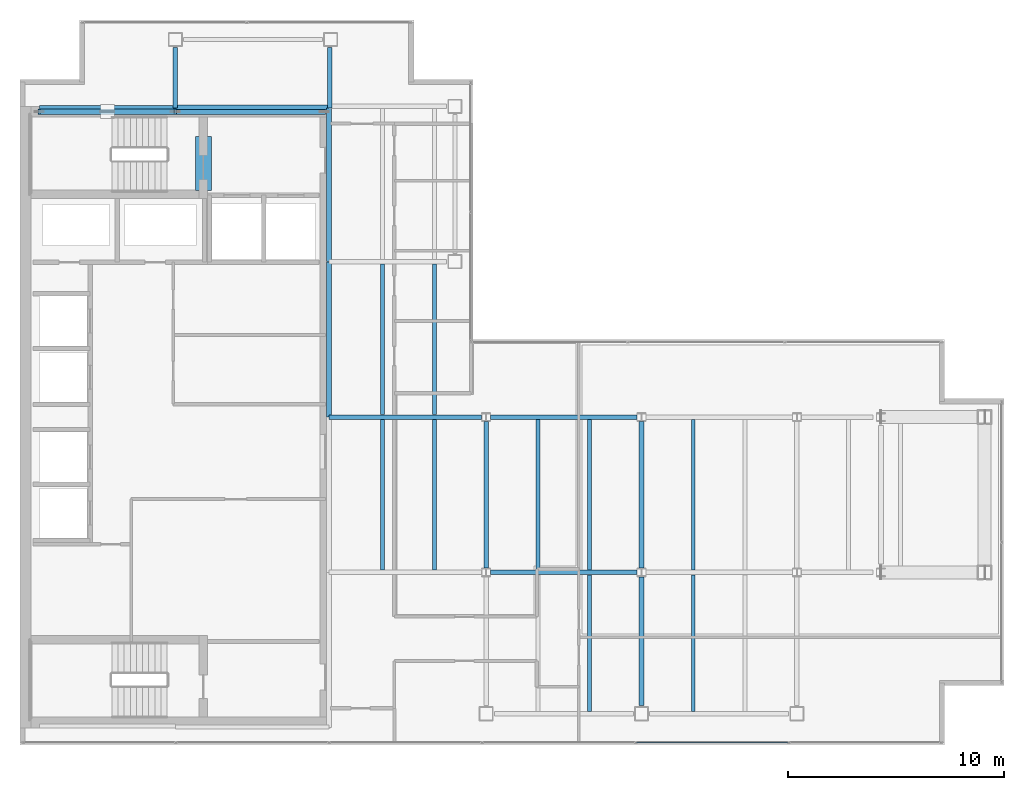
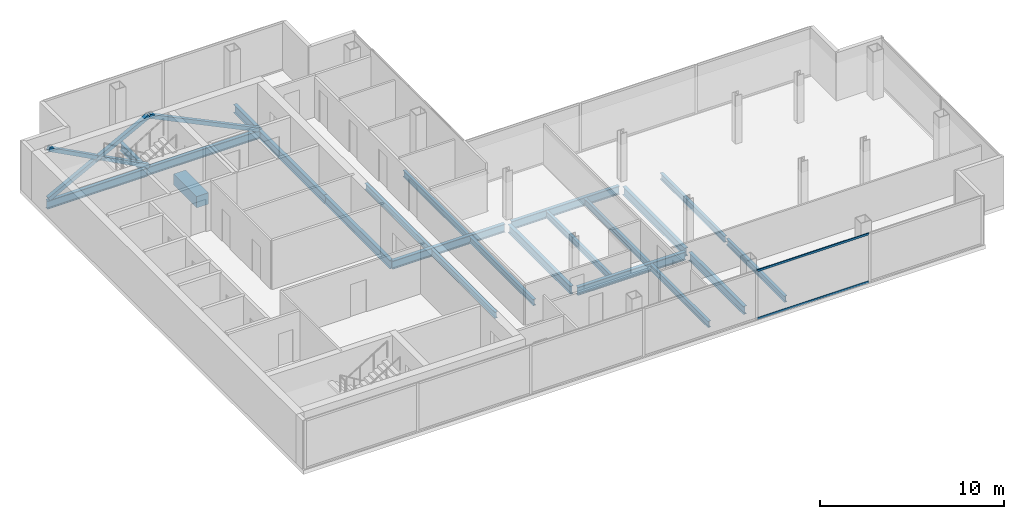
# One storey, part 7 of 24: 22 beams, 6 members, 1 element without a shape of its own.
"""IFC4 building model written with IfcOpenShell, lengths in metres."""

from ifc_helpers import new_model, si_unit, direction, frame, origin, origin_2d, place, context, subcontext, project, spatial, rectangle, hollow_rectangle, i_section, extrude, material, material_profile, profile_set, type_object, element, aggregate, save


model = new_model("IFC4")

# Units and contexts
model_context = context("Model", 3, precision=1e-05, world=origin(), true_north=direction((0.0, 1.0)))
body_context = subcontext(model_context, "Body", "Model", "MODEL_VIEW")
ifc_project = project(units=[si_unit("LENGTHUNIT", "METRE"), si_unit("AREAUNIT", "SQUARE_METRE"), si_unit("VOLUMEUNIT", "CUBIC_METRE"), si_unit("PLANEANGLEUNIT", "RADIAN"), si_unit("MASSUNIT", "GRAM", prefix="KILO")], contexts=[model_context])

# Site, building, storey
site_placement = place(None, origin())
site = spatial("IfcSite", under=ifc_project, at=site_placement, CompositionType="ELEMENT")
building_placement = place(site_placement, origin())
building = spatial("IfcBuilding", under=site, at=building_placement, Name="Cobrela Telecom Tower", CompositionType="ELEMENT")
storey_placement = place(building_placement, frame((0.0, 0.0, 241.14990234375)))
storey = spatial("IfcBuildingStorey", under=building, at=storey_placement, Name="L62", CompositionType="ELEMENT", Elevation=241.14990234375)

# Beams
ifc_material_1 = material(Name="Concrete C40/50", Category="concrete")
ifc_material_profile_1 = material_profile(ifc_material_1, rectangle(XDim=0.75, YDim=0.75, at=origin_2d()), Name="RC 750x750")
ifc_profile_set_1 = profile_set([ifc_material_profile_1], Name="Concrete C40/50")
beam_type_1 = type_object("IfcBeamType", Name="BM-COUP-RC", PredefinedType="LINTEL", material=ifc_profile_set_1)
beam_1_placement = place(storey_placement, frame((8.5, 32.10009765625, -0.60986328125), z_axis=(0.0, 1.0, 0.0), x_axis=(-1.0, 0.0, 0.0)))
element("IfcBeam", 1, at=beam_1_placement, inside=storey, type_object=beam_type_1, Name="L62 Core Coupling Lintel Beam", PredefinedType="LINTEL", context=body_context, shape_type="SweptSolid", body=[
    extrude(rectangle(XDim=0.75, YDim=0.75, at=origin_2d()), origin(), (0.0, 0.0, 1.0), 2.5),
])
ifc_material_2 = material(Name="Steel ASTM A992 Grade 50", Category="steel")
ifc_material_profile_2 = material_profile(ifc_material_2, i_section(OverallWidth=0.212890625, OverallDepth=0.549072265625, WebThickness=0.0146484375, FlangeThickness=0.023681640625, FilletRadius=0.013916015625, at=origin_2d()), Name="W21X93")
ifc_profile_set_2 = profile_set([ifc_material_profile_2], Name="Steel ASTM A992 Grade 50")
beam_type_2 = type_object("IfcBeamType", Name="BM-GIRD-08", PredefinedType="USERDEFINED", material=ifc_profile_set_2)
beam_2_placement = place(storey_placement, frame((21.804443359375, 14.39990234375, -0.534423828125), z_axis=(1.0, 0.0, 0.0), x_axis=(0.0, 1.0, 0.0)))
element("IfcBeam", 2, at=beam_2_placement, inside=storey, type_object=beam_type_2, Name="L62 Primary Girder X06", ObjectType="GIRDER", PredefinedType="USERDEFINED", context=body_context, shape_type="SweptSolid", body=[
    extrude(i_section(OverallWidth=0.212890625, OverallDepth=0.549072265625, WebThickness=0.0146484375, FlangeThickness=0.023681640625, FilletRadius=0.013916015625, at=origin_2d()), origin(), (0.0, 0.0, 1.0), 6.791015625),
])
beam_3_placement = place(storey_placement, frame((14.324951171875, 21.60009765625, -0.534423828125), z_axis=(1.0, 0.0, 0.0), x_axis=(0.0, 1.0, 0.0)))
element("IfcBeam", 3, at=beam_3_placement, inside=storey, type_object=beam_type_2, Name="L62 Primary Girder X09", ObjectType="GIRDER", PredefinedType="USERDEFINED", context=body_context, shape_type="SweptSolid", body=[
    extrude(i_section(OverallWidth=0.212890625, OverallDepth=0.549072265625, WebThickness=0.0146484375, FlangeThickness=0.023681640625, FilletRadius=0.013916015625, at=origin_2d()), origin(), (0.0, 0.0, 1.0), 7.070556640625),
])
beam_4_placement = place(storey_placement, frame((21.804443359375, 21.60009765625, -0.534423828125), z_axis=(1.0, 0.0, 0.0), x_axis=(0.0, 1.0, 0.0)))
element("IfcBeam", 4, at=beam_4_placement, inside=storey, type_object=beam_type_2, Name="L62 Primary Girder X10", ObjectType="GIRDER", PredefinedType="USERDEFINED", context=body_context, shape_type="SweptSolid", body=[
    extrude(i_section(OverallWidth=0.212890625, OverallDepth=0.549072265625, WebThickness=0.0146484375, FlangeThickness=0.023681640625, FilletRadius=0.013916015625, at=origin_2d()), origin(), (0.0, 0.0, 1.0), 6.791015625),
])
beam_5_placement = place(storey_placement, frame((0.905029296875, 35.919921875, -0.534423828125), z_axis=(1.0, 0.0, 0.0), x_axis=(0.0, 1.0, 0.0)))
element("IfcBeam", 5, at=beam_5_placement, inside=storey, type_object=beam_type_2, Name="L62 Primary Girder X14", ObjectType="GIRDER", PredefinedType="USERDEFINED", context=body_context, shape_type="SweptSolid", body=[
    extrude(i_section(OverallWidth=0.212890625, OverallDepth=0.549072265625, WebThickness=0.0146484375, FlangeThickness=0.023681640625, FilletRadius=0.013916015625, at=origin_2d()), origin(), (0.0, 0.0, 1.0), 6.2900390625),
])
beam_6_placement = place(storey_placement, frame((7.205078125, 35.9599609375, -0.534423828125), z_axis=(1.0, 0.0, 0.0), x_axis=(0.0, 1.0, 0.0)))
element("IfcBeam", 6, at=beam_6_placement, inside=storey, type_object=beam_type_2, Name="L62 Primary Girder X15", ObjectType="GIRDER", PredefinedType="USERDEFINED", context=body_context, shape_type="SweptSolid", body=[
    extrude(i_section(OverallWidth=0.212890625, OverallDepth=0.549072265625, WebThickness=0.0146484375, FlangeThickness=0.023681640625, FilletRadius=0.013916015625, at=origin_2d()), origin(), (0.0, 0.0, 1.0), 7.10986328125),
])
beam_7_placement = place(storey_placement, frame((7.199951171875, 35.925048828125, -0.534423828125), z_axis=(0.0, 1.0, 0.0), x_axis=(-1.0, 0.0, 0.0)))
element("IfcBeam", 7, at=beam_7_placement, inside=storey, type_object=beam_type_2, Name="L62 Primary Girder Y18", ObjectType="GIRDER", PredefinedType="USERDEFINED", context=body_context, shape_type="SweptSolid", body=[
    extrude(i_section(OverallWidth=0.212890625, OverallDepth=0.549072265625, WebThickness=0.0146484375, FlangeThickness=0.023681640625, FilletRadius=0.013916015625, at=origin_2d()), origin(), (0.0, 0.0, 1.0), 2.794921875),
])
beam_8_placement = place(storey_placement, frame((14.320068359375, 21.60498046875, -0.534423828125), z_axis=(0.0, 1.0, 0.0), x_axis=(-1.0, 0.0, 0.0)))
element("IfcBeam", 8, at=beam_8_placement, inside=storey, type_object=beam_type_2, Name="L62 Primary Girder Y21", ObjectType="GIRDER", PredefinedType="USERDEFINED", context=body_context, shape_type="SweptSolid", body=[
    extrude(i_section(OverallWidth=0.212890625, OverallDepth=0.549072265625, WebThickness=0.0146484375, FlangeThickness=0.023681640625, FilletRadius=0.013916015625, at=origin_2d()), origin(), (0.0, 0.0, 1.0), 7.18994140625),
])
beam_9_placement = place(storey_placement, frame((14.320068359375, 28.804931640625, -0.534423828125), z_axis=(0.0, 1.0, 0.0), x_axis=(-1.0, 0.0, 0.0)))
element("IfcBeam", 9, at=beam_9_placement, inside=storey, type_object=beam_type_2, Name="L62 Primary Girder Y22", ObjectType="GIRDER", PredefinedType="USERDEFINED", context=body_context, shape_type="SweptSolid", body=[
    extrude(i_section(OverallWidth=0.212890625, OverallDepth=0.549072265625, WebThickness=0.0146484375, FlangeThickness=0.023681640625, FilletRadius=0.013916015625, at=origin_2d()), origin(), (0.0, 0.0, 1.0), 7.110107421875),
])
beam_10_placement = place(storey_placement, frame((14.360107421875, 35.925048828125, -0.534423828125), z_axis=(0.0, 1.0, 0.0), x_axis=(-1.0, 0.0, 0.0)))
element("IfcBeam", 10, at=beam_10_placement, inside=storey, type_object=beam_type_2, Name="L62 Primary Girder Y23", ObjectType="GIRDER", PredefinedType="USERDEFINED", context=body_context, shape_type="SweptSolid", body=[
    extrude(i_section(OverallWidth=0.212890625, OverallDepth=0.549072265625, WebThickness=0.0146484375, FlangeThickness=0.023681640625, FilletRadius=0.013916015625, at=origin_2d()), origin(), (0.0, 0.0, 1.0), 2.794921875),
])
beam_11_placement = place(storey_placement, frame((21.60009765625, 14.6044921875, -0.534423828125), z_axis=(0.0, 1.0, 0.0), x_axis=(-1.0, 0.0, 0.0)))
element("IfcBeam", 11, at=beam_11_placement, inside=storey, type_object=beam_type_2, Name="L62 Primary Girder Y26", ObjectType="GIRDER", PredefinedType="USERDEFINED", context=body_context, shape_type="SweptSolid", body=[
    extrude(i_section(OverallWidth=0.212890625, OverallDepth=0.549072265625, WebThickness=0.0146484375, FlangeThickness=0.023681640625, FilletRadius=0.013916015625, at=origin_2d()), origin(), (0.0, 0.0, 1.0), 6.791015625),
])
beam_12_placement = place(storey_placement, frame((28.800048828125, 8.22998046875, -0.534423828125), z_axis=(0.0, 1.0, 0.0), x_axis=(-1.0, 0.0, 0.0)))
element("IfcBeam", 12, at=beam_12_placement, inside=storey, type_object=beam_type_2, Name="L62 Primary Girder Y27", ObjectType="GIRDER", PredefinedType="USERDEFINED", context=body_context, shape_type="SweptSolid", body=[
    extrude(i_section(OverallWidth=0.212890625, OverallDepth=0.549072265625, WebThickness=0.0146484375, FlangeThickness=0.023681640625, FilletRadius=0.013916015625, at=origin_2d()), origin(), (0.0, 0.0, 1.0), 5.965576171875),
])
beam_13_placement = place(storey_placement, frame((28.800048828125, 14.6044921875, -0.534423828125), z_axis=(0.0, 1.0, 0.0), x_axis=(-1.0, 0.0, 0.0)))
element("IfcBeam", 13, at=beam_13_placement, inside=storey, type_object=beam_type_2, Name="L62 Primary Girder Y28", ObjectType="GIRDER", PredefinedType="USERDEFINED", context=body_context, shape_type="SweptSolid", body=[
    extrude(i_section(OverallWidth=0.212890625, OverallDepth=0.549072265625, WebThickness=0.0146484375, FlangeThickness=0.023681640625, FilletRadius=0.013916015625, at=origin_2d()), origin(), (0.0, 0.0, 1.0), 6.791015625),
])
ifc_material_profile_3 = material_profile(ifc_material_2, i_section(OverallWidth=0.179931640625, OverallDepth=0.4169921875, WebThickness=0.010986328125, FlangeThickness=0.01806640625, FilletRadius=0.011962890625, at=origin_2d()), Name="W16X57")
ifc_profile_set_3 = profile_set([ifc_material_profile_3], Name="Steel ASTM A992 Grade 50")
beam_type_3 = type_object("IfcBeamType", Name="BM-JOIST-04", PredefinedType="JOIST", material=ifc_profile_set_3)
for number, where, z_axis, x_axis, name in (
    (14, (16.800048828125, 14.511474609375, -0.468505859375), (0.0, 1.0, 0.0), (-1.0, 0.0, 0.0), "L62 Secondary Composite Floor Beam J01"),
    (15, (16.800048828125, 21.71142578125, -0.468505859375), (0.0, 1.0, 0.0), (-1.0, 0.0, 0.0), "L62 Secondary Composite Floor Beam J02"),
    (16, (19.199951171875, 14.511474609375, -0.468505859375), (0.0, 1.0, 0.0), (-1.0, 0.0, 0.0), "L62 Secondary Composite Floor Beam J04"),
    (17, (19.199951171875, 21.71142578125, -0.468505859375), (0.0, 1.0, 0.0), (-1.0, 0.0, 0.0), "L62 Secondary Composite Floor Beam J05"),
    (18, (24.0, 14.511474609375, -0.468505859375), (0.0, 1.0, 0.0), (-1.0, 0.0, 0.0), "L62 Secondary Composite Floor Beam J08"),
):
    element("IfcBeam", number, at=place(storey_placement, frame(where, z_axis=z_axis, x_axis=x_axis)), inside=storey, type_object=beam_type_3, Name=name, PredefinedType="JOIST", context=body_context, shape_type="SweptSolid", body=[
        extrude(i_section(OverallWidth=0.179931640625, OverallDepth=0.4169921875, WebThickness=0.010986328125, FlangeThickness=0.01806640625, FilletRadius=0.011962890625, at=origin_2d()), origin(), (0.0, 0.0, 1.0), 6.97705078125),
    ])
beam_14_placement = place(storey_placement, frame((26.39990234375, 7.96142578125, -0.468505859375), z_axis=(0.0, 1.0, 0.0), x_axis=(-1.0, 0.0, 0.0)))
element("IfcBeam", 19, at=beam_14_placement, inside=storey, type_object=beam_type_3, Name="L62 Secondary Composite Floor Beam J09", PredefinedType="JOIST", context=body_context, shape_type="SweptSolid", body=[
    extrude(i_section(OverallWidth=0.179931640625, OverallDepth=0.4169921875, WebThickness=0.010986328125, FlangeThickness=0.01806640625, FilletRadius=0.011962890625, at=origin_2d()), origin(), (0.0, 0.0, 1.0), 6.3271484375),
])
beam_15_placement = place(storey_placement, frame((26.39990234375, 14.511474609375, -0.468505859375), z_axis=(0.0, 1.0, 0.0), x_axis=(-1.0, 0.0, 0.0)))
element("IfcBeam", 20, at=beam_15_placement, inside=storey, type_object=beam_type_3, Name="L62 Secondary Composite Floor Beam J10", PredefinedType="JOIST", context=body_context, shape_type="SweptSolid", body=[
    extrude(i_section(OverallWidth=0.179931640625, OverallDepth=0.4169921875, WebThickness=0.010986328125, FlangeThickness=0.01806640625, FilletRadius=0.011962890625, at=origin_2d()), origin(), (0.0, 0.0, 1.0), 6.97705078125),
])
beam_16_placement = place(storey_placement, frame((31.199951171875, 7.96142578125, -0.468505859375), z_axis=(0.0, 1.0, 0.0), x_axis=(-1.0, 0.0, 0.0)))
element("IfcBeam", 21, at=beam_16_placement, inside=storey, type_object=beam_type_3, Name="L62 Secondary Composite Floor Beam J11", PredefinedType="JOIST", context=body_context, shape_type="SweptSolid", body=[
    extrude(i_section(OverallWidth=0.179931640625, OverallDepth=0.4169921875, WebThickness=0.010986328125, FlangeThickness=0.01806640625, FilletRadius=0.011962890625, at=origin_2d()), origin(), (0.0, 0.0, 1.0), 6.3271484375),
])
beam_17_placement = place(storey_placement, frame((31.199951171875, 14.511474609375, -0.468505859375), z_axis=(0.0, 1.0, 0.0), x_axis=(-1.0, 0.0, 0.0)))
element("IfcBeam", 22, at=beam_17_placement, inside=storey, type_object=beam_type_3, Name="L62 Secondary Composite Floor Beam J12", PredefinedType="JOIST", context=body_context, shape_type="SweptSolid", body=[
    extrude(i_section(OverallWidth=0.179931640625, OverallDepth=0.4169921875, WebThickness=0.010986328125, FlangeThickness=0.01806640625, FilletRadius=0.011962890625, at=origin_2d()), origin(), (0.0, 0.0, 1.0), 6.97705078125),
])

# Curtain wall, members
ifc_material_3 = material(Name="Anodized Bronze Aluminium 6063-T6", Category="aluminium")
curtain_wall_type = type_object("IfcCurtainWallType", Name="CW-SYS-OFF-HI", PredefinedType="USERDEFINED", material=ifc_material_3)
curtain_wall_placement = place(storey_placement, origin())
curtain_wall = element("IfcCurtainWall", 23, at=curtain_wall_placement, inside=storey, type_object=curtain_wall_type, Name="L62 Unitised Bronze Curtain Wall 15", ObjectType="UNITISED CURTAIN WALL", PredefinedType="USERDEFINED")
ifc_material_profile_4 = material_profile(ifc_material_3, hollow_rectangle(XDim=0.06494140625, YDim=0.1298828125, WallThickness=0.00390625, at=origin_2d()), Name="ALU 65x130x4")
ifc_profile_set_4 = profile_set([ifc_material_profile_4], Name="Anodized Bronze Aluminium 6063-T6")
member_type_1 = type_object("IfcMemberType", Name="CW-SYS-OFF-HI-TRN", PredefinedType="USERDEFINED", material=ifc_profile_set_4)
member_1_placement = place(storey_placement, frame((35.59326171875, 6.52001953125, 0.03271484375), z_axis=(-1.0, 0.0, 0.0), x_axis=(0.0, -1.0, 0.0)))
member_1 = element("IfcMember", 24, at=member_1_placement, type_object=member_type_1, Name="CW-OFF-HI transom 2.1", ObjectType="TRANSOM", PredefinedType="USERDEFINED", context=body_context, shape_type="SweptSolid", body=[
    extrude(hollow_rectangle(XDim=0.06494140625, YDim=0.1298828125, WallThickness=0.00390625, at=origin_2d()), origin(), (0.0, 0.0, 1.0), 7.031494140625),
])
member_2_placement = place(storey_placement, frame((35.59326171875, 6.52001953125, 3.20751953125), z_axis=(-1.0, 0.0, 0.0), x_axis=(0.0, -1.0, 0.0)))
member_2 = element("IfcMember", 25, at=member_2_placement, type_object=member_type_1, Name="CW-OFF-HI transom 2.2", ObjectType="TRANSOM", PredefinedType="USERDEFINED", context=body_context, shape_type="SweptSolid", body=[
    extrude(hollow_rectangle(XDim=0.06494140625, YDim=0.1298828125, WallThickness=0.00390625, at=origin_2d()), origin(), (0.0, 0.0, 1.0), 7.031494140625),
])
aggregate(curtain_wall, [member_1, member_2])

# Members
ifc_material_4 = material(Name="Steel ASTM A572 Grade 50", Category="steel")
ifc_material_profile_5 = material_profile(ifc_material_4, hollow_rectangle(XDim=0.25, YDim=0.25, WallThickness=0.013916015625, at=origin_2d()), Name="HSS 250x250x14")
ifc_profile_set_5 = profile_set([ifc_material_profile_5], Name="Steel ASTM A572 Grade 50")
member_type_2 = type_object("IfcMemberType", Name="MBR-EXO-04", PredefinedType="BRACE", material=ifc_profile_set_5)
member_3_placement = place(storey_placement, frame((0.89990234375, 35.75, -0.039794921875), z_axis=(0.884686085315, 0.0, 0.466187226821), x_axis=(0.0, 1.0, 0.0)))
element("IfcMember", 26, at=member_3_placement, inside=storey, type_object=member_type_2, Name="L62 Core Flange Steel X-Brace Continuous A", PredefinedType="BRACE", context=body_context, shape_type="SweptSolid", body=[
    extrude(hollow_rectangle(XDim=0.25, YDim=0.25, WallThickness=0.013916015625, at=origin_2d()), origin(), (0.0, 0.0, 1.0), 7.121337890625),
])
member_4_placement = place(storey_placement, frame((7.199951171875, 35.75, -0.039794921875), z_axis=(-0.884702916743, 0.0, 0.466155284328), x_axis=(0.0, -1.0, 0.0)))
element("IfcMember", 27, at=member_4_placement, inside=storey, type_object=member_type_2, Name="L62 Core Flange Steel X-Brace Split B1", PredefinedType="BRACE", context=body_context, shape_type="SweptSolid", body=[
    extrude(hollow_rectangle(XDim=0.25, YDim=0.25, WallThickness=0.013916015625, at=origin_2d()), origin(), (0.0, 0.0, 1.0), 3.42041015625),
])
member_5_placement = place(storey_placement, frame((3.926025390625, 35.75, 1.685302734375), z_axis=(-0.884673479945, 0.0, 0.466211147317), x_axis=(0.0, -1.0, 0.0)))
element("IfcMember", 28, at=member_5_placement, inside=storey, type_object=member_type_2, Name="L62 Core Flange Steel X-Brace Split B2", PredefinedType="BRACE", context=body_context, shape_type="SweptSolid", body=[
    extrude(hollow_rectangle(XDim=0.25, YDim=0.25, WallThickness=0.013916015625, at=origin_2d()), origin(), (0.0, 0.0, 1.0), 3.420654296875),
])
member_6_placement = place(storey_placement, frame((14.10009765625, 35.75, -0.039794921875), z_axis=(-0.901127639633, 0.0, 0.433553891793), x_axis=(0.0, -1.0, 0.0)))
element("IfcMember", 29, at=member_6_placement, inside=storey, type_object=member_type_2, Name="L62 Core Flange Steel Brace N2", PredefinedType="BRACE", context=body_context, shape_type="SweptSolid", body=[
    extrude(hollow_rectangle(XDim=0.25, YDim=0.25, WallThickness=0.013916015625, at=origin_2d()), origin(), (0.0, 0.0, 1.0), 7.6572265625),
])

save(model, "model.ifc")
